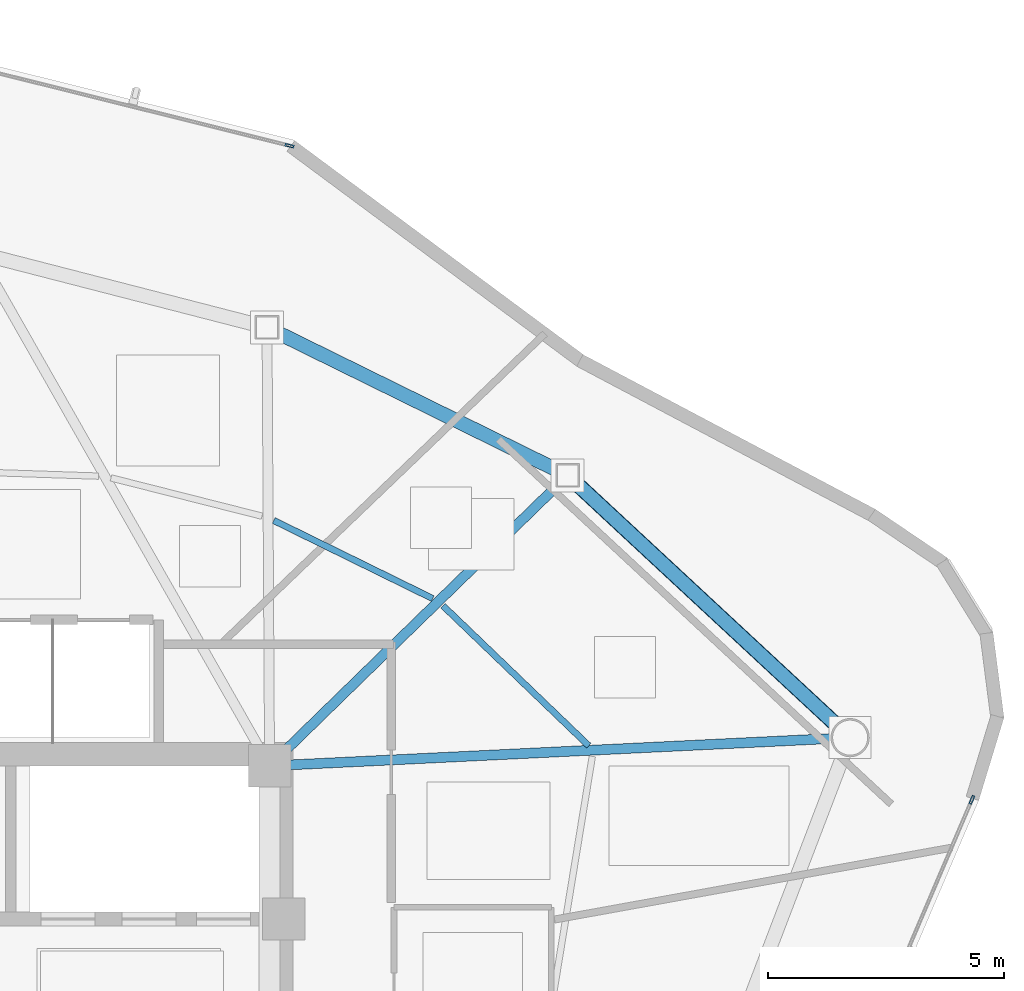
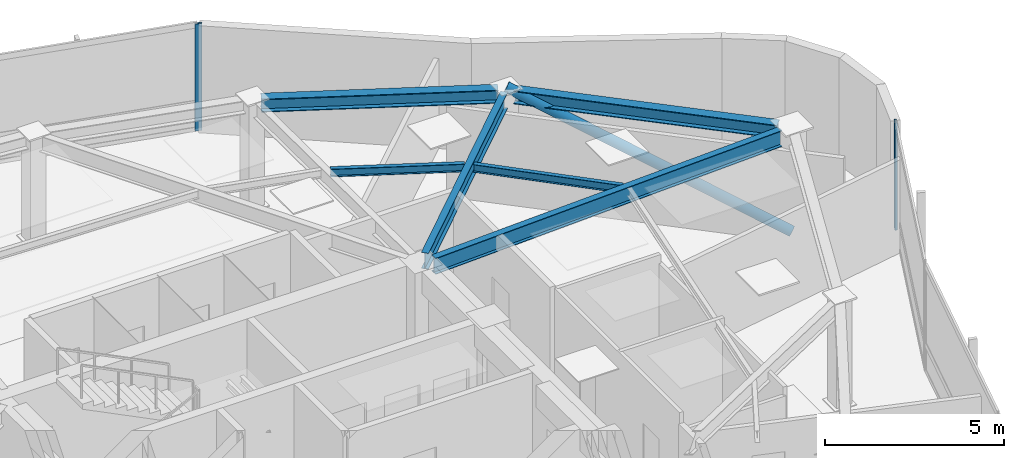
# One storey, part 7 of 14: 6 beams, 3 members, 2 elements without a shape of their own.
"""IFC4 building model written with IfcOpenShell, lengths in metres."""

from ifc_helpers import new_model, si_unit, direction, frame, origin, origin_2d, place, context, subcontext, project, spatial, hollow_rectangle, hollow_circle, i_section, extrude, source, transform, mapped, material, layer, layer_set, material_profile, profile_set, type_object, type_shapes, element, aggregate, save


model = new_model("IFC4")

# Units and contexts
model_context = context("Model", 3, precision=1e-05, world=origin(), true_north=direction((0.0, 1.0)))
body_context = subcontext(model_context, "Body", "Model", "MODEL_VIEW")
ifc_project = project(units=[si_unit("LENGTHUNIT", "METRE"), si_unit("AREAUNIT", "SQUARE_METRE"), si_unit("VOLUMEUNIT", "CUBIC_METRE"), si_unit("PLANEANGLEUNIT", "RADIAN"), si_unit("MASSUNIT", "GRAM", prefix="KILO")], contexts=[model_context])

# Site, building, storey
site_placement = place(None, origin())
site = spatial("IfcSite", under=ifc_project, at=site_placement, CompositionType="ELEMENT")
building_placement = place(site_placement, origin())
building = spatial("IfcBuilding", under=site, at=building_placement, Name="Tavelor Broadcast Tower", CompositionType="ELEMENT")
storey_placement = place(building_placement, frame((0.0, 0.0, 249.800048828125)))
storey = spatial("IfcBuildingStorey", under=building, at=storey_placement, Name="L59", CompositionType="ELEMENT", Elevation=249.800048828125)

# Beams
ifc_material_1 = material(Name="Steel S355", Category="steel")
ifc_material_profile_1 = material_profile(ifc_material_1, i_section(OverallWidth=0.135009765625, OverallDepth=0.27001953125, WebThickness=0.006591796875, FlangeThickness=0.01025390625, at=origin_2d()), Name="IPE 270")
ifc_profile_set_1 = profile_set([ifc_material_profile_1], Name="Steel S355")
beam_type_1 = type_object("IfcBeamType", Name="Composite Floor Joist T6 IPE 270", PredefinedType="JOIST", material=ifc_profile_set_1)
beam_1_placement = place(storey_placement, frame((63.373779296875, 51.627197265625, 3.514892578125), z_axis=(-0.72136115861, 0.692559079682, 0.0), x_axis=(-0.692559079682, -0.72136115861, 0.0)))
element("IfcBeam", 1, at=beam_1_placement, inside=storey, type_object=beam_type_1, Name="L59 Secondary Composite Floor Joist 13", PredefinedType="JOIST", context=body_context, shape_type="SweptSolid", body=[
    extrude(i_section(OverallWidth=0.135009765625, OverallDepth=0.27001953125, WebThickness=0.006591796875, FlangeThickness=0.01025390625, at=origin_2d()), origin(), (0.0, 0.0, 1.0), 4.2890625),
])
beam_2_placement = place(storey_placement, frame((60.062744140625, 54.749755859375, 3.514892578125), z_axis=(-0.897549365046, 0.440913979485, 0.0), x_axis=(-0.440913979485, -0.897549365046, 0.0)))
element("IfcBeam", 2, at=beam_2_placement, inside=storey, type_object=beam_type_1, Name="L59 Secondary Composite Floor Joist 14", PredefinedType="JOIST", context=body_context, shape_type="SweptSolid", body=[
    extrude(i_section(OverallWidth=0.135009765625, OverallDepth=0.27001953125, WebThickness=0.006591796875, FlangeThickness=0.01025390625, at=origin_2d()), origin(), (0.0, 0.0, 1.0), 3.758056640625),
])
ifc_material_profile_2 = material_profile(ifc_material_1, i_section(OverallWidth=0.300048828125, OverallDepth=0.449951171875, WebThickness=0.013916015625, FlangeThickness=0.02587890625, at=origin_2d()), Name="HEB 450")
ifc_profile_set_2 = profile_set([ifc_material_profile_2], Name="Steel S355")
beam_type_2 = type_object("IfcBeamType", Name="Perimeter Spandrel Beam T6 HEB 450", PredefinedType="SPANDREL", material=ifc_profile_set_2)
beam_3_placement = place(storey_placement, frame((68.6337890625, 52.064697265625, 3.425048828125), z_axis=(-0.732775058348, 0.680470950051, 0.0), x_axis=(-0.680470950051, -0.732775058348, 0.0)))
element("IfcBeam", 3, at=beam_3_placement, inside=storey, type_object=beam_type_2, Name="L59 Framed-Tube Ring Spandrel 13", PredefinedType="SPANDREL", context=body_context, shape_type="SweptSolid", body=[
    extrude(i_section(OverallWidth=0.300048828125, OverallDepth=0.449951171875, WebThickness=0.013916015625, FlangeThickness=0.02587890625, at=origin_2d()), origin(), (0.0, 0.0, 1.0), 7.547607421875),
])
beam_4_placement = place(storey_placement, frame((62.7119140625, 57.469970703125, 3.425048828125), z_axis=(-0.897258179133, 0.441506240022, 0.0), x_axis=(-0.441506240022, -0.897258179134, 0.0)))
element("IfcBeam", 4, at=beam_4_placement, inside=storey, type_object=beam_type_2, Name="L59 Framed-Tube Ring Spandrel 14", PredefinedType="SPANDREL", context=body_context, shape_type="SweptSolid", body=[
    extrude(i_section(OverallWidth=0.300048828125, OverallDepth=0.449951171875, WebThickness=0.013916015625, FlangeThickness=0.02587890625, at=origin_2d()), origin(), (0.0, 0.0, 1.0), 6.63232421875),
])

# Member
ifc_material_profile_3 = material_profile(ifc_material_1, hollow_circle(Radius=0.161865234375, WallThickness=0.01611328125, at=origin_2d()), Name="CHS 323.9x16")
ifc_profile_set_3 = profile_set([ifc_material_profile_3], Name="Steel S355")
member_type_1 = type_object("IfcMemberType", Name="Perimeter Tube Brace T6 CHS 323.9x16", PredefinedType="BRACE", material=ifc_profile_set_3)
member_1_placement = place(storey_placement, frame((68.919677734375, 51.799072265625, 0.0), z_axis=(-0.669140005594, 0.621404656244, 0.407563376803), x_axis=(-0.680486595916, -0.732760528944, 0.0)))
element("IfcMember", 5, at=member_1_placement, inside=storey, type_object=member_type_1, Name="L59 Corner Tube Diagonal Brace 3", PredefinedType="BRACE", context=body_context, shape_type="SweptSolid", body=[
    extrude(hollow_circle(Radius=0.161865234375, WallThickness=0.01611328125, at=origin_2d()), origin(), (0.0, 0.0, 1.0), 8.955322265625),
])

# Beams
ifc_material_profile_4 = material_profile(ifc_material_1, i_section(OverallWidth=0.2099609375, OverallDepth=0.550048828125, WebThickness=0.010986328125, FlangeThickness=0.01708984375, at=origin_2d()), Name="IPE 550")
ifc_profile_set_4 = profile_set([ifc_material_profile_4], Name="Steel S355")
beam_type_3 = type_object("IfcBeamType", Name="Radial Floor Girder T6 IPE 550", PredefinedType="BEAM", material=ifc_profile_set_4)
beam_5_placement = place(storey_placement, frame((57.031494140625, 51.220947265625, 3.375), z_axis=(0.998819991205, 0.048565678915, 0.0), x_axis=(-0.048565678915, 0.998819991205, 0.0)))
element("IfcBeam", 6, at=beam_5_placement, inside=storey, type_object=beam_type_3, Name="L59 Radial Primary Floor Girder 13", PredefinedType="BEAM", context=body_context, shape_type="SweptSolid", body=[
    extrude(i_section(OverallWidth=0.2099609375, OverallDepth=0.550048828125, WebThickness=0.010986328125, FlangeThickness=0.01708984375, at=origin_2d()), origin(), (0.0, 0.0, 1.0), 11.511962890625),
])
beam_6_placement = place(storey_placement, frame((56.909423828125, 51.50146484375, 3.375), z_axis=(0.716304728622, 0.697787600745, 0.0), x_axis=(-0.697787600745, 0.716304728622, 0.0)))
element("IfcBeam", 7, at=beam_6_placement, inside=storey, type_object=beam_type_3, Name="L59 Radial Primary Floor Girder 14", PredefinedType="BEAM", context=body_context, shape_type="SweptSolid", body=[
    extrude(i_section(OverallWidth=0.2099609375, OverallDepth=0.550048828125, WebThickness=0.010986328125, FlangeThickness=0.01708984375, at=origin_2d()), origin(), (0.0, 0.0, 1.0), 8.161376953125),
])

# Curtain wall, member
ifc_material_2 = material(Name="Architectural Anodized Aluminium", Category="aluminium")
ifc_layer = layer(ifc_material_2, 0.199951171875)
ifc_layer_set = layer_set([ifc_layer], Name="Architectural Anodized Aluminium")
curtain_wall_type = type_object("IfcCurtainWallType", Name="Tower High-Zone Triple-Glazed Curtain Wall CW04", PredefinedType="NOTDEFINED", material=ifc_layer_set)
curtain_wall_1_placement = place(storey_placement, origin())
curtain_wall_1 = element("IfcCurtainWall", 8, at=curtain_wall_1_placement, inside=storey, type_object=curtain_wall_type, Name="L59 Curtain Wall CW04 Run 644", PredefinedType="NOTDEFINED")
ifc_material_profile_5 = material_profile(ifc_material_2, hollow_rectangle(XDim=0.070068359375, YDim=0.199951171875, WallThickness=0.02197265625, at=origin_2d()), Name="RHS 70x200x22")
ifc_profile_set_5 = profile_set([ifc_material_profile_5], Name="Architectural Anodized Aluminium")
member_type_2 = type_object("IfcMemberType", Name="CW04 Extruded Aluminium Mullion 70x200", PredefinedType="MULLION", material=ifc_profile_set_5)
shared_shape = source(origin(), body_context, "Body", "SweptSolid", [
    extrude(hollow_rectangle(XDim=0.070068359375, YDim=0.199951171875, WallThickness=0.02197265625, at=origin_2d()), origin(), (0.0, 0.0, 1.0), 3.64990234375),
])
type_shapes(member_type_2, [shared_shape])
member_2_placement = place(storey_placement, frame((71.503173828125, 50.480224609375, 0.0), z_axis=(0.0, 0.0, 1.0), x_axis=(-0.919656434034, 0.392723876712, 0.0)))
member_2 = element("IfcMember", 9, at=member_2_placement, type_object=member_type_2, Name="CW04 mullion 2", PredefinedType="MULLION", context=body_context, shape_type="MappedRepresentation", body=[
    mapped(shared_shape, transform((0.0, 0.0, 0.0), scale=1.0)),
])
aggregate(curtain_wall_1, [member_2])

curtain_wall_2_placement = place(storey_placement, origin())
curtain_wall_2 = element("IfcCurtainWall", 10, at=curtain_wall_2_placement, inside=storey, type_object=curtain_wall_type, Name="L59 Curtain Wall CW04 Run 645", PredefinedType="NOTDEFINED")
member_3_placement = place(storey_placement, frame((57.022216796875, 64.3603515625, 0.0), z_axis=(0.0, 0.0, 1.0), x_axis=(-0.241506124252, -0.970399295109, 0.0)))
member_3 = element("IfcMember", 11, at=member_3_placement, type_object=member_type_2, Name="CW04 mullion 1", PredefinedType="MULLION", context=body_context, shape_type="MappedRepresentation", body=[
    mapped(shared_shape, transform((0.0, 0.0, 0.0), scale=1.0)),
])
aggregate(curtain_wall_2, [member_3])

save(model, "model.ifc")
